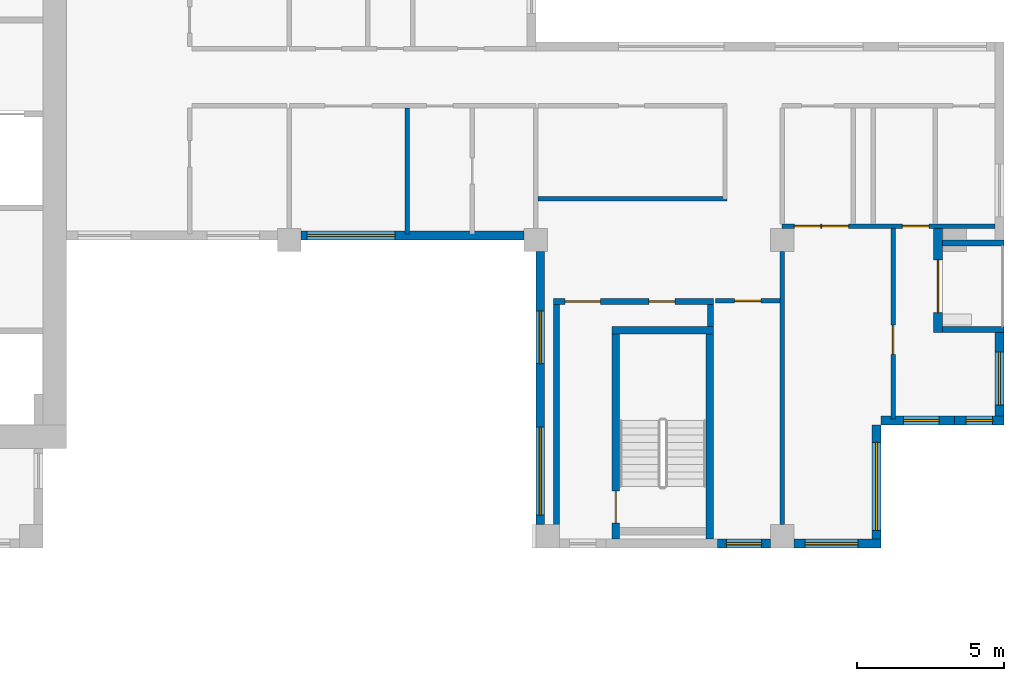
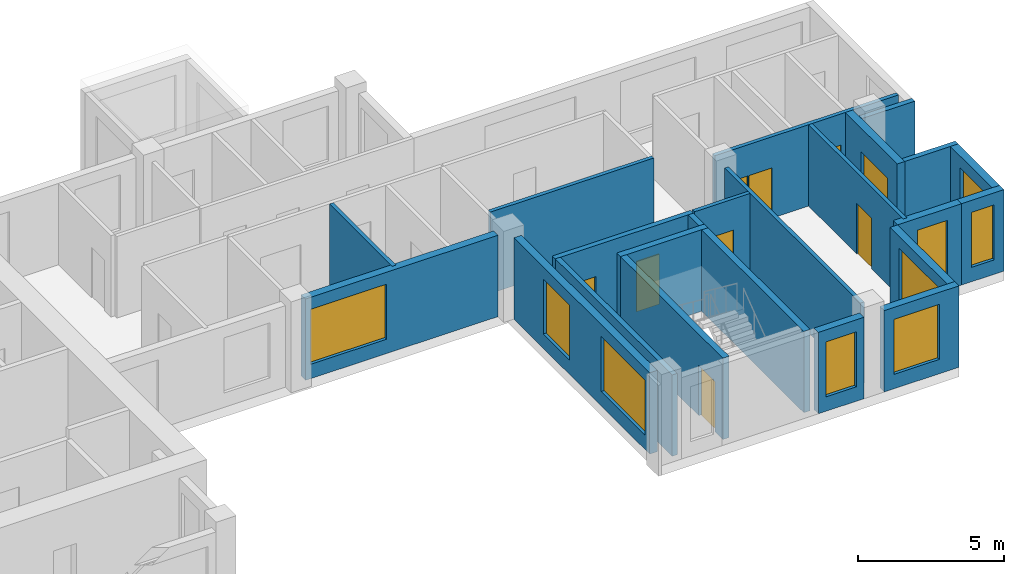
# One storey, part 4 of 11: 23 walls, 9 doors, 9 windows, 18 openings.
"""IFC4 building model written with IfcOpenShell, lengths in metres."""

from ifc_helpers import new_model, si_unit, direction, frame, frame_2d, origin, place, context, subcontext, project, spatial, rectangle, extrude, source, transform, mapped, material, layer, layer_set, type_object, element, fill, save


model = new_model("IFC4")

# Units and contexts
model_context = context("Model", 3, precision=1e-05, world=origin(), true_north=direction((0.0, 1.0)))
body_context = subcontext(model_context, "Body", "Model", "MODEL_VIEW")
ifc_project = project(units=[si_unit("LENGTHUNIT", "METRE"), si_unit("AREAUNIT", "SQUARE_METRE"), si_unit("VOLUMEUNIT", "CUBIC_METRE"), si_unit("PLANEANGLEUNIT", "RADIAN"), si_unit("MASSUNIT", "GRAM", prefix="KILO")], contexts=[model_context])

# Site, building, storey
site_placement = place(None, origin())
site = spatial("IfcSite", under=ifc_project, at=site_placement, CompositionType="ELEMENT")
building_placement = place(site_placement, origin())
building = spatial("IfcBuilding", under=site, at=building_placement, Name="Aurelian Terraces", CompositionType="ELEMENT")
storey_placement = place(building_placement, frame((0.0, 0.0, 257.6)))
storey = spatial("IfcBuildingStorey", under=building, at=storey_placement, Name="L59", CompositionType="ELEMENT", Elevation=257.6)

# Wall, opening, window
ifc_material_1 = material(Name="Terracotta rainscreen cladding", Category="masonry")
ifc_layer_1 = layer(ifc_material_1, 0.3)
ifc_layer_set_1 = layer_set([ifc_layer_1], Name="EW-300")
wall_type_1 = type_object("IfcWallType", Name="EW-300", PredefinedType="STANDARD", material=ifc_layer_set_1)
shared_shape_1 = source(origin(), body_context, "Body", "SweptSolid", [
    extrude(rectangle(XDim=4.2, YDim=0.3, at=frame_2d((2.1, 0.0))), origin(), (0.0, 0.0, 1.0), 3.4),
])
wall_1_placement = place(storey_placement, frame((49.41, 0.0, 0.0), z_axis=(0.0, 0.0, 1.0), x_axis=(0.0, 1.0, 0.0)))
wall_1 = element("IfcWall", 1, at=wall_1_placement, inside=storey, type_object=wall_type_1, Name="External wall L59 F06.10", PredefinedType="STANDARD", context=body_context, shape_type="MappedRepresentation", body=[
    mapped(shared_shape_1, transform((0.0, 0.0, 0.0), scale=1.0)),
])
shared_shape_2 = source(origin(), body_context, "Body", "SweptSolid", [
    extrude(rectangle(XDim=3.0, YDim=2.3, at=frame_2d((1.5, 1.15))), frame((0.0, 0.16, 0.0), z_axis=(0.0, -1.0, 0.0), x_axis=(1.0, 0.0, 0.0)), (0.0, 0.0, 1.0), 0.32),
])
opening_1_placement = place(wall_1_placement, frame((0.6, 0.0, 0.6)))
opening_1 = element("IfcOpeningElement", 2, at=opening_1_placement, cuts=wall_1, Name="Opening W3023", PredefinedType="OPENING", context=body_context, shape_type="MappedRepresentation", body=[
    mapped(shared_shape_2, transform((0.0, 0.0, 0.0), scale=1.0)),
])
ifc_material_2 = material(Name="Clear glazing", Category="glass")
window_type_1 = type_object("IfcWindowType", Name="W-3000x2300", PartitioningType="SINGLE_PANEL", PredefinedType="WINDOW", material=ifc_material_2)
shared_shape_3 = source(origin(), body_context, "Body", "SweptSolid", [
    extrude(rectangle(XDim=3.0, YDim=2.3, at=frame_2d((1.5, 1.15))), frame((0.0, 0.03, 0.0), z_axis=(0.0, -1.0, 0.0), x_axis=(1.0, 0.0, 0.0)), (0.0, 0.0, 1.0), 0.06),
])
window_1_placement = place(opening_1_placement, origin())
window_1 = element("IfcWindow", 3, at=window_1_placement, inside=storey, type_object=window_type_1, Name="Window L59 L59-F06-10-0", OverallHeight=2.3, OverallWidth=3.0, PartitioningType="SINGLE_PANEL", PredefinedType="WINDOW", context=body_context, shape_type="MappedRepresentation", body=[
    mapped(shared_shape_3, transform((0.0, 0.0, 0.0), scale=1.0)),
])
fill(opening_1, window_1)

shared_shape_4 = source(origin(), body_context, "Body", "SweptSolid", [
    extrude(rectangle(XDim=2.52, YDim=0.3, at=frame_2d((1.26, 0.0))), origin(), (0.0, 0.0, 1.0), 3.4),
])
wall_2_placement = place(storey_placement, frame((49.56, 4.35, 0.0), z_axis=(0.0, 0.0, 1.0), x_axis=(1.0, 0.0, 0.0)))
wall_2 = element("IfcWall", 4, at=wall_2_placement, inside=storey, type_object=wall_type_1, Name="External wall L59 F07.11", PredefinedType="STANDARD", context=body_context, shape_type="MappedRepresentation", body=[
    mapped(shared_shape_4, transform((0.0, 0.0, 0.0), scale=1.0)),
])
shared_shape_5 = source(origin(), body_context, "Body", "SweptSolid", [
    extrude(rectangle(XDim=1.2, YDim=2.3, at=frame_2d((0.6, 1.15))), frame((0.0, 0.16, 0.0), z_axis=(0.0, -1.0, 0.0), x_axis=(1.0, 0.0, 0.0)), (0.0, 0.0, 1.0), 0.32),
])
opening_2_placement = place(wall_2_placement, frame((0.7775, 0.0, 0.6)))
opening_2 = element("IfcOpeningElement", 5, at=opening_2_placement, cuts=wall_2, Name="Opening W1223", PredefinedType="OPENING", context=body_context, shape_type="MappedRepresentation", body=[
    mapped(shared_shape_5, transform((0.0, 0.0, 0.0), scale=1.0)),
])
window_type_2 = type_object("IfcWindowType", Name="W-1200x2300", PartitioningType="SINGLE_PANEL", PredefinedType="WINDOW", material=ifc_material_2)
shared_shape_6 = source(origin(), body_context, "Body", "SweptSolid", [
    extrude(rectangle(XDim=1.2, YDim=2.3, at=frame_2d((0.6, 1.15))), frame((0.0, 0.03, 0.0), z_axis=(0.0, -1.0, 0.0), x_axis=(1.0, 0.0, 0.0)), (0.0, 0.0, 1.0), 0.06),
])
window_2_placement = place(opening_2_placement, origin())
window_2 = element("IfcWindow", 6, at=window_2_placement, inside=storey, type_object=window_type_2, Name="Window L59 L59-F07-11-P0", OverallHeight=2.3, OverallWidth=1.2, PartitioningType="SINGLE_PANEL", PredefinedType="WINDOW", context=body_context, shape_type="MappedRepresentation", body=[
    mapped(shared_shape_6, transform((0.0, 0.0, 0.0), scale=1.0)),
])
fill(opening_2, window_2)

shared_shape_7 = source(origin(), body_context, "Body", "SweptSolid", [
    extrude(rectangle(XDim=1.68, YDim=0.3, at=frame_2d((0.84, 0.0))), origin(), (0.0, 0.0, 1.0), 3.4),
])
wall_3_placement = place(storey_placement, frame((52.08, 4.35, 0.0), z_axis=(0.0, 0.0, 1.0), x_axis=(1.0, 0.0, 0.0)))
wall_3 = element("IfcWall", 7, at=wall_3_placement, inside=storey, type_object=wall_type_1, Name="External wall L59 F07.12", PredefinedType="STANDARD", context=body_context, shape_type="MappedRepresentation", body=[
    mapped(shared_shape_7, transform((0.0, 0.0, 0.0), scale=1.0)),
])
shared_shape_8 = source(origin(), body_context, "Body", "SweptSolid", [
    extrude(rectangle(XDim=0.9, YDim=2.3, at=frame_2d((0.45, 1.15))), frame((0.0, 0.16, 0.0), z_axis=(0.0, -1.0, 0.0), x_axis=(1.0, 0.0, 0.0)), (0.0, 0.0, 1.0), 0.32),
])
opening_3_placement = place(wall_3_placement, frame((0.39, 0.0, 0.6)))
opening_3 = element("IfcOpeningElement", 8, at=opening_3_placement, cuts=wall_3, Name="Opening W0923", PredefinedType="OPENING", context=body_context, shape_type="MappedRepresentation", body=[
    mapped(shared_shape_8, transform((0.0, 0.0, 0.0), scale=1.0)),
])
window_type_3 = type_object("IfcWindowType", Name="W-900x2300", PartitioningType="SINGLE_PANEL", PredefinedType="WINDOW", material=ifc_material_2)
shared_shape_9 = source(origin(), body_context, "Body", "SweptSolid", [
    extrude(rectangle(XDim=0.9, YDim=2.3, at=frame_2d((0.45, 1.15))), frame((0.0, 0.03, 0.0), z_axis=(0.0, -1.0, 0.0), x_axis=(1.0, 0.0, 0.0)), (0.0, 0.0, 1.0), 0.06),
])
window_3_placement = place(opening_3_placement, origin())
window_3 = element("IfcWindow", 9, at=window_3_placement, inside=storey, type_object=window_type_3, Name="Window L59 L59-F07-12-P0", OverallHeight=2.3, OverallWidth=0.9, PartitioningType="SINGLE_PANEL", PredefinedType="WINDOW", context=body_context, shape_type="MappedRepresentation", body=[
    mapped(shared_shape_9, transform((0.0, 0.0, 0.0), scale=1.0)),
])
fill(opening_3, window_3)

shared_shape_10 = source(origin(), body_context, "Body", "SweptSolid", [
    extrude(rectangle(XDim=3.15, YDim=0.3, at=frame_2d((1.575, 0.0))), origin(), (0.0, 0.0, 1.0), 3.4),
])
wall_4_placement = place(storey_placement, frame((53.61, 4.2, 0.0), z_axis=(0.0, 0.0, 1.0), x_axis=(0.0, 1.0, 0.0)))
wall_4 = element("IfcWall", 10, at=wall_4_placement, inside=storey, type_object=wall_type_1, Name="External wall L59 F08.13", PredefinedType="STANDARD", context=body_context, shape_type="MappedRepresentation", body=[
    mapped(shared_shape_10, transform((0.0, 0.0, 0.0), scale=1.0)),
])
shared_shape_11 = source(origin(), body_context, "Body", "SweptSolid", [
    extrude(rectangle(XDim=1.8, YDim=2.3, at=frame_2d((0.9, 1.15))), frame((0.0, 0.16, 0.0), z_axis=(0.0, -1.0, 0.0), x_axis=(1.0, 0.0, 0.0)), (0.0, 0.0, 1.0), 0.32),
])
opening_4_placement = place(wall_4_placement, frame((0.675, 0.0, 0.6)))
opening_4 = element("IfcOpeningElement", 11, at=opening_4_placement, cuts=wall_4, Name="Opening W1823", PredefinedType="OPENING", context=body_context, shape_type="MappedRepresentation", body=[
    mapped(shared_shape_11, transform((0.0, 0.0, 0.0), scale=1.0)),
])
window_type_4 = type_object("IfcWindowType", Name="W-1800x2300", PartitioningType="SINGLE_PANEL", PredefinedType="WINDOW", material=ifc_material_2)
shared_shape_12 = source(origin(), body_context, "Body", "SweptSolid", [
    extrude(rectangle(XDim=1.8, YDim=2.3, at=frame_2d((0.9, 1.15))), frame((0.0, 0.03, 0.0), z_axis=(0.0, -1.0, 0.0), x_axis=(1.0, 0.0, 0.0)), (0.0, 0.0, 1.0), 0.06),
])
window_4_placement = place(opening_4_placement, origin())
window_4 = element("IfcWindow", 12, at=window_4_placement, inside=storey, type_object=window_type_4, Name="Window L59 L59-F08-13-0", OverallHeight=2.3, OverallWidth=1.8, PartitioningType="SINGLE_PANEL", PredefinedType="WINDOW", context=body_context, shape_type="MappedRepresentation", body=[
    mapped(shared_shape_12, transform((0.0, 0.0, 0.0), scale=1.0)),
])
fill(opening_4, window_4)

# Walls
ifc_layer_2 = layer(ifc_material_1, 0.2)
ifc_layer_set_2 = layer_set([ifc_layer_2], Name="EW-200")
wall_type_2 = type_object("IfcWallType", Name="EW-200", PredefinedType="STANDARD", material=ifc_layer_set_2)
shared_shape_13 = source(origin(), body_context, "Body", "SweptSolid", [
    extrude(rectangle(XDim=2.1, YDim=0.2, at=frame_2d((1.05, 0.0))), origin(), (0.0, 0.0, 1.0), 3.4),
])
for number, where, z_axis, x_axis, name in (
    (13, (53.76, 7.45, 0.0), (0.0, 0.0, 1.0), (-1.0, 0.0, 0.0), "Loggia return L59 F08.14.1"),
    (14, (53.76, 10.4, 0.0), (0.0, 0.0, 1.0), (-1.0, 0.0, 0.0), "Loggia return L59 F08.14.2"),
):
    element("IfcWall", number, at=place(storey_placement, frame(where, z_axis=z_axis, x_axis=x_axis)), inside=storey, type_object=wall_type_2, Name=name, PredefinedType="STANDARD", context=body_context, shape_type="MappedRepresentation", body=[
        mapped(shared_shape_13, transform((0.0, 0.0, 0.0), scale=1.0)),
    ])

# Wall, opening, window
shared_shape_14 = source(origin(), body_context, "Body", "SweptSolid", [
    extrude(rectangle(XDim=7.6, YDim=0.3, at=frame_2d((3.8, 0.0))), origin(), (0.0, 0.0, 1.0), 3.4),
])
wall_5_placement = place(storey_placement, frame((29.8, 10.65, 0.0), z_axis=(0.0, 0.0, 1.0), x_axis=(1.0, 0.0, 0.0)))
wall_5 = element("IfcWall", 15, at=wall_5_placement, inside=storey, type_object=wall_type_1, Name="External wall L59 F03.6", PredefinedType="STANDARD", context=body_context, shape_type="MappedRepresentation", body=[
    mapped(shared_shape_14, transform((0.0, 0.0, 0.0), scale=1.0)),
])
opening_5_placement = place(wall_5_placement, frame((0.2, 0.0, 0.6)))
opening_5 = element("IfcOpeningElement", 16, at=opening_5_placement, cuts=wall_5, Name="Opening W3023", PredefinedType="OPENING", context=body_context, shape_type="MappedRepresentation", body=[
    mapped(shared_shape_2, transform((0.0, 0.0, 0.0), scale=1.0)),
])
window_5_placement = place(opening_5_placement, origin())
window_5 = element("IfcWindow", 17, at=window_5_placement, inside=storey, type_object=window_type_1, Name="Window L59 L59-F03-06-0", OverallHeight=2.3, OverallWidth=3.0, PartitioningType="SINGLE_PANEL", PredefinedType="WINDOW", context=body_context, shape_type="MappedRepresentation", body=[
    mapped(shared_shape_3, transform((0.0, 0.0, 0.0), scale=1.0)),
])
fill(opening_5, window_5)

shared_shape_15 = source(origin(), body_context, "Body", "SweptSolid", [
    extrude(rectangle(XDim=2.96, YDim=0.3, at=frame_2d((1.48, 0.0))), origin(), (0.0, 0.0, 1.0), 3.4),
])
wall_6_placement = place(storey_placement, frame((46.6, 0.15, 0.0), z_axis=(0.0, 0.0, 1.0), x_axis=(1.0, 0.0, 0.0)))
wall_6 = element("IfcWall", 18, at=wall_6_placement, inside=storey, type_object=wall_type_1, Name="External wall L59 F05.9", PredefinedType="STANDARD", context=body_context, shape_type="MappedRepresentation", body=[
    mapped(shared_shape_15, transform((0.0, 0.0, 0.0), scale=1.0)),
])
opening_6_placement = place(wall_6_placement, frame((0.38, 0.0, 0.6)))
opening_6 = element("IfcOpeningElement", 19, at=opening_6_placement, cuts=wall_6, Name="Opening W1823", PredefinedType="OPENING", context=body_context, shape_type="MappedRepresentation", body=[
    mapped(shared_shape_11, transform((0.0, 0.0, 0.0), scale=1.0)),
])
window_6_placement = place(opening_6_placement, origin())
window_6 = element("IfcWindow", 20, at=window_6_placement, inside=storey, type_object=window_type_4, Name="Window L59 L59-F05-09-0", OverallHeight=2.3, OverallWidth=1.8, PartitioningType="SINGLE_PANEL", PredefinedType="WINDOW", context=body_context, shape_type="MappedRepresentation", body=[
    mapped(shared_shape_12, transform((0.0, 0.0, 0.0), scale=1.0)),
])
fill(opening_6, window_6)

shared_shape_16 = source(origin(), body_context, "Body", "SweptSolid", [
    extrude(rectangle(XDim=1.8, YDim=0.3, at=frame_2d((0.9, 0.0))), origin(), (0.0, 0.0, 1.0), 3.4),
])
wall_7_placement = place(storey_placement, frame((44.0, 0.15, 0.0), z_axis=(0.0, 0.0, 1.0), x_axis=(1.0, 0.0, 0.0)))
wall_7 = element("IfcWall", 21, at=wall_7_placement, inside=storey, type_object=wall_type_1, Name="External wall L59 F05.8", PredefinedType="STANDARD", context=body_context, shape_type="MappedRepresentation", body=[
    mapped(shared_shape_16, transform((0.0, 0.0, 0.0), scale=1.0)),
])
opening_7_placement = place(wall_7_placement, frame((0.3, 0.0, 0.6)))
opening_7 = element("IfcOpeningElement", 22, at=opening_7_placement, cuts=wall_7, Name="Opening W1223", PredefinedType="OPENING", context=body_context, shape_type="MappedRepresentation", body=[
    mapped(shared_shape_5, transform((0.0, 0.0, 0.0), scale=1.0)),
])
window_7_placement = place(opening_7_placement, origin())
window_7 = element("IfcWindow", 23, at=window_7_placement, inside=storey, type_object=window_type_2, Name="Window L59 L59-F05-08-P2", OverallHeight=2.3, OverallWidth=1.2, PartitioningType="SINGLE_PANEL", PredefinedType="WINDOW", context=body_context, shape_type="MappedRepresentation", body=[
    mapped(shared_shape_6, transform((0.0, 0.0, 0.0), scale=1.0)),
])
fill(opening_7, window_7)

# Wall, openings, windows
shared_shape_17 = source(origin(), body_context, "Body", "SweptSolid", [
    extrude(rectangle(XDim=9.3, YDim=0.3, at=frame_2d((4.65, 0.0))), origin(), (0.0, 0.0, 1.0), 3.4),
])
wall_8_placement = place(storey_placement, frame((37.95, 10.1, 0.0), z_axis=(0.0, 0.0, 1.0), x_axis=(0.0, -1.0, 0.0)))
wall_8 = element("IfcWall", 24, at=wall_8_placement, inside=storey, type_object=wall_type_1, Name="External wall L59 F04.7", PredefinedType="STANDARD", context=body_context, shape_type="MappedRepresentation", body=[
    mapped(shared_shape_17, transform((0.0, 0.0, 0.0), scale=1.0)),
])
opening_8_placement = place(wall_8_placement, frame((2.0125, 0.0, 0.6)))
opening_8 = element("IfcOpeningElement", 25, at=opening_8_placement, cuts=wall_8, Name="Opening W1823", PredefinedType="OPENING", context=body_context, shape_type="MappedRepresentation", body=[
    mapped(shared_shape_11, transform((0.0, 0.0, 0.0), scale=1.0)),
])
opening_9_placement = place(wall_8_placement, frame((5.975, 0.0, 0.6)))
opening_9 = element("IfcOpeningElement", 26, at=opening_9_placement, cuts=wall_8, Name="Opening W3023", PredefinedType="OPENING", context=body_context, shape_type="MappedRepresentation", body=[
    mapped(shared_shape_2, transform((0.0, 0.0, 0.0), scale=1.0)),
])
window_8_placement = place(opening_9_placement, origin())
window_8 = element("IfcWindow", 27, at=window_8_placement, inside=storey, type_object=window_type_1, Name="Window L59 L59-F04-07-1", OverallHeight=2.3, OverallWidth=3.0, PartitioningType="SINGLE_PANEL", PredefinedType="WINDOW", context=body_context, shape_type="MappedRepresentation", body=[
    mapped(shared_shape_3, transform((0.0, 0.0, 0.0), scale=1.0)),
])
fill(opening_9, window_8)
window_9_placement = place(opening_8_placement, origin())
window_9 = element("IfcWindow", 28, at=window_9_placement, inside=storey, type_object=window_type_4, Name="Window L59 L59-F04-07-0", OverallHeight=2.3, OverallWidth=1.8, PartitioningType="SINGLE_PANEL", PredefinedType="WINDOW", context=body_context, shape_type="MappedRepresentation", body=[
    mapped(shared_shape_12, transform((0.0, 0.0, 0.0), scale=1.0)),
])
fill(opening_8, window_9)

# Wall, opening, door
shared_shape_18 = source(origin(), body_context, "Body", "SweptSolid", [
    extrude(rectangle(XDim=3.55, YDim=0.3, at=frame_2d((1.775, 0.0))), origin(), (0.0, 0.0, 1.0), 3.4),
])
wall_9_placement = place(storey_placement, frame((51.51, 7.35, 0.0), z_axis=(0.0, 0.0, 1.0), x_axis=(0.0, 1.0, 0.0)))
wall_9 = element("IfcWall", 29, at=wall_9_placement, inside=storey, type_object=wall_type_1, Name="Loggia wall L59 F08.14", PredefinedType="STANDARD", context=body_context, shape_type="MappedRepresentation", body=[
    mapped(shared_shape_18, transform((0.0, 0.0, 0.0), scale=1.0)),
])
shared_shape_19 = source(origin(), body_context, "Body", "SweptSolid", [
    extrude(rectangle(XDim=1.8, YDim=2.4, at=frame_2d((0.9, 1.2))), frame((0.0, 0.16, 0.0), z_axis=(0.0, -1.0, 0.0), x_axis=(1.0, 0.0, 0.0)), (0.0, 0.0, 1.0), 0.32),
])
opening_10_placement = place(wall_9_placement, frame((0.675, 0.0, 0.0)))
opening_10 = element("IfcOpeningElement", 30, at=opening_10_placement, cuts=wall_9, Name="Opening 85901", PredefinedType="OPENING", context=body_context, shape_type="MappedRepresentation", body=[
    mapped(shared_shape_19, transform((0.0, 0.0, 0.0), scale=1.0)),
])
door_type_1 = type_object("IfcDoorType", Name="BD-1800x2400", OperationType="SLIDING_TO_LEFT", PredefinedType="DOOR", material=ifc_material_2)
shared_shape_20 = source(origin(), body_context, "Body", "SweptSolid", [
    extrude(rectangle(XDim=1.8, YDim=2.4, at=frame_2d((0.9, 1.2))), frame((0.0, 0.025, 0.0), z_axis=(0.0, -1.0, 0.0), x_axis=(1.0, 0.0, 0.0)), (0.0, 0.0, 1.0), 0.05),
])
door_1_placement = place(opening_10_placement, origin())
door_1 = element("IfcDoor", 31, at=door_1_placement, inside=storey, type_object=door_type_1, Name="Balcony door L59 F08.14", OperationType="SLIDING_TO_LEFT", OverallHeight=2.4, OverallWidth=1.8, PredefinedType="DOOR", context=body_context, shape_type="MappedRepresentation", body=[
    mapped(shared_shape_20, transform((0.0, 0.0, 0.0), scale=1.0)),
])
fill(opening_10, door_1)

ifc_material_3 = material(Name="Concrete fc' 40 MPa", Category="concrete")
ifc_layer_3 = layer(ifc_material_3, 0.25)
ifc_layer_set_3 = layer_set([ifc_layer_3], Name="Stair enclosure wall 250")
wall_type_3 = type_object("IfcWallType", Name="Stair enclosure wall 250", PredefinedType="SOLIDWALL", material=ifc_layer_set_3)
shared_shape_21 = source(origin(), body_context, "Body", "SweptSolid", [
    extrude(rectangle(XDim=7.0, YDim=0.25, at=frame_2d((3.5, 0.0))), origin(), (0.0, 0.0, 1.0), 3.4),
])
wall_10_placement = place(storey_placement, frame((40.525, 0.3, 0.0), z_axis=(0.0, 0.0, 1.0), x_axis=(0.0, 1.0, 0.0)))
wall_10 = element("IfcWall", 32, at=wall_10_placement, inside=storey, type_object=wall_type_3, Name="L59 core wall ST-S2-W", PredefinedType="SOLIDWALL", context=body_context, shape_type="MappedRepresentation", body=[
    mapped(shared_shape_21, transform((0.0, 0.0, 0.0), scale=1.0)),
])
shared_shape_22 = source(origin(), body_context, "Body", "SweptSolid", [
    extrude(rectangle(XDim=1.1, YDim=2.1, at=frame_2d((0.55, 1.05))), frame((0.0, 0.135, 0.0), z_axis=(0.0, -1.0, 0.0), x_axis=(1.0, 0.0, 0.0)), (0.0, 0.0, 1.0), 0.27),
])
opening_11_placement = place(wall_10_placement, frame((0.55, 0.0, 0.0)))
opening_11 = element("IfcOpeningElement", 33, at=opening_11_placement, cuts=wall_10, Name="Opening 66215", PredefinedType="OPENING", context=body_context, shape_type="MappedRepresentation", body=[
    mapped(shared_shape_22, transform((0.0, 0.0, 0.0), scale=1.0)),
])
ifc_material_4 = material(Name="Steel door leaf", Category="steel")
door_type_2 = type_object("IfcDoorType", Name="Core fire door 1100x2100 right", OperationType="SINGLE_SWING_RIGHT", PredefinedType="DOOR", material=ifc_material_4)
shared_shape_23 = source(origin(), body_context, "Body", "SweptSolid", [
    extrude(rectangle(XDim=1.1, YDim=2.1, at=frame_2d((0.55, 1.05))), frame((0.0, 0.025, 0.0), z_axis=(0.0, -1.0, 0.0), x_axis=(1.0, 0.0, 0.0)), (0.0, 0.0, 1.0), 0.05),
])
door_2_placement = place(opening_11_placement, origin())
door_2 = element("IfcDoor", 34, at=door_2_placement, inside=storey, type_object=door_type_2, Name="Stair door 66215", OperationType="SINGLE_SWING_RIGHT", OverallHeight=2.1, OverallWidth=1.1, PredefinedType="DOOR", context=body_context, shape_type="MappedRepresentation", body=[
    mapped(shared_shape_23, transform((0.0, 0.0, 0.0), scale=1.0)),
])
fill(opening_11, door_2)

# Walls
wall_11_placement = place(storey_placement, frame((43.725, 0.3, 0.0), z_axis=(0.0, 0.0, 1.0), x_axis=(0.0, 1.0, 0.0)))
element("IfcWall", 35, at=wall_11_placement, inside=storey, type_object=wall_type_3, Name="L59 core wall ST-S2-E", PredefinedType="SOLIDWALL", context=body_context, shape_type="MappedRepresentation", body=[
    mapped(shared_shape_21, transform((0.0, 0.0, 0.0), scale=1.0)),
])
shared_shape_24 = source(origin(), body_context, "Body", "SweptSolid", [
    extrude(rectangle(XDim=3.45, YDim=0.25, at=frame_2d((1.725, 0.0))), origin(), (0.0, 0.0, 1.0), 3.4),
])
wall_12_placement = place(storey_placement, frame((40.4, 7.425, 0.0), z_axis=(0.0, 0.0, 1.0), x_axis=(1.0, 0.0, 0.0)))
element("IfcWall", 36, at=wall_12_placement, inside=storey, type_object=wall_type_3, Name="L59 core wall ST-S2-N", PredefinedType="SOLIDWALL", context=body_context, shape_type="MappedRepresentation", body=[
    mapped(shared_shape_24, transform((0.0, 0.0, 0.0), scale=1.0)),
])

# Wall, openings, doors
ifc_material_5 = material(Name="Gypsum board on steel studs", Category="steel")
ifc_layer_4 = layer(ifc_material_5, 0.2)
ifc_layer_set_4 = layer_set([ifc_layer_4], Name="Core partition 200")
wall_type_4 = type_object("IfcWallType", Name="Core partition 200", PredefinedType="PARTITIONING", material=ifc_layer_set_4)
shared_shape_25 = source(origin(), body_context, "Body", "SweptSolid", [
    extrude(rectangle(XDim=5.45, YDim=0.2, at=frame_2d((2.725, 0.0))), origin(), (0.0, 0.0, 1.0), 3.4),
])
wall_13_placement = place(storey_placement, frame((38.4, 8.4, 0.0), z_axis=(0.0, 0.0, 1.0), x_axis=(1.0, 0.0, 0.0)))
wall_13 = element("IfcWall", 37, at=wall_13_placement, inside=storey, type_object=wall_type_4, Name="L59 core wall ST-S2-BN", PredefinedType="PARTITIONING", context=body_context, shape_type="MappedRepresentation", body=[
    mapped(shared_shape_25, transform((0.0, 0.0, 0.0), scale=1.0)),
])
shared_shape_26 = source(origin(), body_context, "Body", "SweptSolid", [
    extrude(rectangle(XDim=1.2, YDim=2.1, at=frame_2d((0.6, 1.05))), frame((0.0, 0.11, 0.0), z_axis=(0.0, -1.0, 0.0), x_axis=(1.0, 0.0, 0.0)), (0.0, 0.0, 1.0), 0.22),
])
opening_12_placement = place(wall_13_placement, frame((0.4, 0.0, 0.0)))
opening_12 = element("IfcOpeningElement", 38, at=opening_12_placement, cuts=wall_13, Name="Opening 66216", PredefinedType="OPENING", context=body_context, shape_type="MappedRepresentation", body=[
    mapped(shared_shape_26, transform((0.0, 0.0, 0.0), scale=1.0)),
])
shared_shape_27 = source(origin(), body_context, "Body", "SweptSolid", [
    extrude(rectangle(XDim=0.9, YDim=2.1, at=frame_2d((0.45, 1.05))), frame((0.0, 0.11, 0.0), z_axis=(0.0, -1.0, 0.0), x_axis=(1.0, 0.0, 0.0)), (0.0, 0.0, 1.0), 0.22),
])
opening_13_placement = place(wall_13_placement, frame((3.25, 0.0, 0.0)))
opening_13 = element("IfcOpeningElement", 39, at=opening_13_placement, cuts=wall_13, Name="Opening 66217", PredefinedType="OPENING", context=body_context, shape_type="MappedRepresentation", body=[
    mapped(shared_shape_27, transform((0.0, 0.0, 0.0), scale=1.0)),
])
door_type_3 = type_object("IfcDoorType", Name="Core riser door 900x2100 right", OperationType="SINGLE_SWING_RIGHT", PredefinedType="DOOR", material=ifc_material_4)
shared_shape_28 = source(origin(), body_context, "Body", "SweptSolid", [
    extrude(rectangle(XDim=0.9, YDim=2.1, at=frame_2d((0.45, 1.05))), frame((0.0, 0.025, 0.0), z_axis=(0.0, -1.0, 0.0), x_axis=(1.0, 0.0, 0.0)), (0.0, 0.0, 1.0), 0.05),
])
door_3_placement = place(opening_13_placement, origin())
door_3 = element("IfcDoor", 40, at=door_3_placement, inside=storey, type_object=door_type_3, Name="Riser door 66217", OperationType="SINGLE_SWING_RIGHT", OverallHeight=2.1, OverallWidth=0.9, PredefinedType="DOOR", context=body_context, shape_type="MappedRepresentation", body=[
    mapped(shared_shape_28, transform((0.0, 0.0, 0.0), scale=1.0)),
])
fill(opening_13, door_3)
door_type_4 = type_object("IfcDoorType", Name="Core fire door 1200x2100", OperationType="SINGLE_SWING_LEFT", PredefinedType="DOOR", material=ifc_material_4)
shared_shape_29 = source(origin(), body_context, "Body", "SweptSolid", [
    extrude(rectangle(XDim=1.2, YDim=2.1, at=frame_2d((0.6, 1.05))), frame((0.0, 0.025, 0.0), z_axis=(0.0, -1.0, 0.0), x_axis=(1.0, 0.0, 0.0)), (0.0, 0.0, 1.0), 0.05),
])
door_4_placement = place(opening_12_placement, origin())
door_4 = element("IfcDoor", 41, at=door_4_placement, inside=storey, type_object=door_type_4, Name="Vestibule door 66216", OperationType="SINGLE_SWING_LEFT", OverallHeight=2.1, OverallWidth=1.2, PredefinedType="DOOR", context=body_context, shape_type="MappedRepresentation", body=[
    mapped(shared_shape_29, transform((0.0, 0.0, 0.0), scale=1.0)),
])
fill(opening_12, door_4)

# Walls
shared_shape_30 = source(origin(), body_context, "Body", "SweptSolid", [
    extrude(rectangle(XDim=0.75, YDim=0.2, at=frame_2d((0.375, 0.0))), origin(), (0.0, 0.0, 1.0), 3.4),
])
wall_14_placement = place(storey_placement, frame((43.75, 7.55, 0.0), z_axis=(0.0, 0.0, 1.0), x_axis=(0.0, 1.0, 0.0)))
element("IfcWall", 42, at=wall_14_placement, inside=storey, type_object=wall_type_4, Name="L59 core wall ST-S2-RE", PredefinedType="PARTITIONING", context=body_context, shape_type="MappedRepresentation", body=[
    mapped(shared_shape_30, transform((0.0, 0.0, 0.0), scale=1.0)),
])
shared_shape_31 = source(origin(), body_context, "Body", "SweptSolid", [
    extrude(rectangle(XDim=8.0, YDim=0.2, at=frame_2d((4.0, 0.0))), origin(), (0.0, 0.0, 1.0), 3.4),
])
wall_15_placement = place(storey_placement, frame((38.5, 0.3, 0.0), z_axis=(0.0, 0.0, 1.0), x_axis=(0.0, 1.0, 0.0)))
element("IfcWall", 43, at=wall_15_placement, inside=storey, type_object=wall_type_4, Name="L59 core wall ST-S2-VW", PredefinedType="PARTITIONING", context=body_context, shape_type="MappedRepresentation", body=[
    mapped(shared_shape_31, transform((0.0, 0.0, 0.0), scale=1.0)),
])
ifc_layer_5 = layer(ifc_material_5, 0.15)
ifc_layer_set_5 = layer_set([ifc_layer_5], Name="Partition 150")
wall_type_5 = type_object("IfcWallType", Name="Partition 150", PredefinedType="PARTITIONING", material=ifc_layer_set_5)
shared_shape_32 = source(origin(), body_context, "Body", "SweptSolid", [
    extrude(rectangle(XDim=6.45, YDim=0.15, at=frame_2d((3.225, 0.0))), origin(), (0.0, 0.0, 1.0), 3.4),
])
wall_16_placement = place(storey_placement, frame((37.875, 11.9, 0.0), z_axis=(0.0, 0.0, 1.0), x_axis=(1.0, 0.0, 0.0)))
element("IfcWall", 44, at=wall_16_placement, inside=storey, type_object=wall_type_5, Name="Partition", PredefinedType="PARTITIONING", context=body_context, shape_type="MappedRepresentation", body=[
    mapped(shared_shape_32, transform((0.0, 0.0, 0.0), scale=1.0)),
])

# Wall, opening, door
shared_shape_33 = source(origin(), body_context, "Body", "SweptSolid", [
    extrude(rectangle(XDim=2.2, YDim=0.15, at=frame_2d((1.1, 0.0))), origin(), (0.0, 0.0, 1.0), 3.4),
])
wall_17_placement = place(storey_placement, frame((46.125, 8.425, 0.0), z_axis=(0.0, 0.0, 1.0), x_axis=(-1.0, 0.0, 0.0)))
wall_17 = element("IfcWall", 45, at=wall_17_placement, inside=storey, type_object=wall_type_5, Name="Partition", PredefinedType="PARTITIONING", context=body_context, shape_type="MappedRepresentation", body=[
    mapped(shared_shape_33, transform((0.0, 0.0, 0.0), scale=1.0)),
])
shared_shape_34 = source(origin(), body_context, "Body", "SweptSolid", [
    extrude(rectangle(XDim=0.9, YDim=2.1, at=frame_2d((0.45, 1.05))), frame((0.0, 0.085, 0.0), z_axis=(0.0, -1.0, 0.0), x_axis=(1.0, 0.0, 0.0)), (0.0, 0.0, 1.0), 0.17),
])
opening_14_placement = place(wall_17_placement, frame((0.65, 0.0, 0.0)))
opening_14 = element("IfcOpeningElement", 46, at=opening_14_placement, cuts=wall_17, Name="Opening 759004", PredefinedType="OPENING", context=body_context, shape_type="MappedRepresentation", body=[
    mapped(shared_shape_34, transform((0.0, 0.0, 0.0), scale=1.0)),
])
ifc_material_6 = material(Name="Timber door leaf", Category="wood")
door_type_5 = type_object("IfcDoorType", Name="Room door 900x2100 left", OperationType="SINGLE_SWING_LEFT", PredefinedType="DOOR", material=ifc_material_6)
door_5_placement = place(opening_14_placement, origin())
door_5 = element("IfcDoor", 47, at=door_5_placement, inside=storey, type_object=door_type_5, Name="Door 759004", OperationType="SINGLE_SWING_LEFT", OverallHeight=2.1, OverallWidth=0.9, PredefinedType="DOOR", context=body_context, shape_type="MappedRepresentation", body=[
    mapped(shared_shape_28, transform((0.0, 0.0, 0.0), scale=1.0)),
])
fill(opening_14, door_5)

# Wall, openings, doors
shared_shape_35 = source(origin(), body_context, "Body", "SweptSolid", [
    extrude(rectangle(XDim=7.26, YDim=0.15, at=frame_2d((3.63, 0.0))), origin(), (0.0, 0.0, 1.0), 3.4),
])
wall_18_placement = place(storey_placement, frame((53.46, 10.975, 0.0), z_axis=(0.0, 0.0, 1.0), x_axis=(-1.0, 0.0, 0.0)))
wall_18 = element("IfcWall", 48, at=wall_18_placement, inside=storey, type_object=wall_type_5, Name="Partition", PredefinedType="PARTITIONING", context=body_context, shape_type="MappedRepresentation", body=[
    mapped(shared_shape_35, transform((0.0, 0.0, 0.0), scale=1.0)),
])
opening_15_placement = place(wall_18_placement, frame((4.999, 0.0, 0.0)))
opening_15 = element("IfcOpeningElement", 49, at=opening_15_placement, cuts=wall_18, Name="Opening 759008", PredefinedType="OPENING", context=body_context, shape_type="MappedRepresentation", body=[
    mapped(shared_shape_34, transform((0.0, 0.0, 0.0), scale=1.0)),
])
opening_16_placement = place(wall_18_placement, frame((5.95, 0.0, 0.0)))
opening_16 = element("IfcOpeningElement", 50, at=opening_16_placement, cuts=wall_18, Name="Opening 759009", PredefinedType="OPENING", context=body_context, shape_type="MappedRepresentation", body=[
    mapped(shared_shape_34, transform((0.0, 0.0, 0.0), scale=1.0)),
])
opening_17_placement = place(wall_18_placement, frame((2.2639, 0.0, 0.0)))
opening_17 = element("IfcOpeningElement", 51, at=opening_17_placement, cuts=wall_18, Name="Opening 759010", PredefinedType="OPENING", context=body_context, shape_type="MappedRepresentation", body=[
    mapped(shared_shape_34, transform((0.0, 0.0, 0.0), scale=1.0)),
])
door_6_placement = place(opening_15_placement, origin())
door_6 = element("IfcDoor", 52, at=door_6_placement, inside=storey, type_object=door_type_5, Name="Door 759008", OperationType="SINGLE_SWING_LEFT", OverallHeight=2.1, OverallWidth=0.9, PredefinedType="DOOR", context=body_context, shape_type="MappedRepresentation", body=[
    mapped(shared_shape_28, transform((0.0, 0.0, 0.0), scale=1.0)),
])
fill(opening_15, door_6)
door_type_6 = type_object("IfcDoorType", Name="Room door 900x2100 right", OperationType="SINGLE_SWING_RIGHT", PredefinedType="DOOR", material=ifc_material_6)
door_7_placement = place(opening_16_placement, origin())
door_7 = element("IfcDoor", 53, at=door_7_placement, inside=storey, type_object=door_type_6, Name="Door 759009", OperationType="SINGLE_SWING_RIGHT", OverallHeight=2.1, OverallWidth=0.9, PredefinedType="DOOR", context=body_context, shape_type="MappedRepresentation", body=[
    mapped(shared_shape_28, transform((0.0, 0.0, 0.0), scale=1.0)),
])
fill(opening_16, door_7)
door_8_placement = place(opening_17_placement, origin())
door_8 = element("IfcDoor", 54, at=door_8_placement, inside=storey, type_object=door_type_5, Name="Door 759010", OperationType="SINGLE_SWING_LEFT", OverallHeight=2.1, OverallWidth=0.9, PredefinedType="DOOR", context=body_context, shape_type="MappedRepresentation", body=[
    mapped(shared_shape_28, transform((0.0, 0.0, 0.0), scale=1.0)),
])
fill(opening_17, door_8)

# Walls
shared_shape_36 = source(origin(), body_context, "Body", "SweptSolid", [
    extrude(rectangle(XDim=4.295, YDim=0.15, at=frame_2d((2.1475, 0.0))), origin(), (0.0, 0.0, 1.0), 3.4),
])
wall_19_placement = place(storey_placement, frame((33.4224, 10.705, 0.0), z_axis=(0.0, 0.0, 1.0), x_axis=(0.0, 1.0, 0.0)))
element("IfcWall", 55, at=wall_19_placement, inside=storey, type_object=wall_type_5, Name="Partition", PredefinedType="PARTITIONING", context=body_context, shape_type="MappedRepresentation", body=[
    mapped(shared_shape_36, transform((0.0, 0.0, 0.0), scale=1.0)),
])
ifc_layer_6 = layer(ifc_material_5, 0.15)
ifc_layer_set_6 = layer_set([ifc_layer_6], Name="Fire partition 150")
wall_type_6 = type_object("IfcWallType", Name="Fire partition 150", PredefinedType="PARTITIONING", material=ifc_layer_set_6)
shared_shape_37 = source(origin(), body_context, "Body", "SweptSolid", [
    extrude(rectangle(XDim=9.302, YDim=0.15, at=frame_2d((4.651, 0.0))), origin(), (0.0, 0.0, 1.0), 3.4),
])
wall_20_placement = place(storey_placement, frame((46.2, 0.799, 0.0), z_axis=(0.0, 0.0, 1.0), x_axis=(0.0, 1.0, 0.0)))
element("IfcWall", 56, at=wall_20_placement, inside=storey, type_object=wall_type_6, Name="Party wall", PredefinedType="PARTITIONING", context=body_context, shape_type="MappedRepresentation", body=[
    mapped(shared_shape_37, transform((0.0, 0.0, 0.0), scale=1.0)),
])

# Wall, opening, door
shared_shape_38 = source(origin(), body_context, "Body", "SweptSolid", [
    extrude(rectangle(XDim=6.495, YDim=0.15, at=frame_2d((3.2475, 0.0))), origin(), (0.0, 0.0, 1.0), 3.4),
])
wall_21_placement = place(storey_placement, frame((49.98, 4.405, 0.0), z_axis=(0.0, 0.0, 1.0), x_axis=(0.0, 1.0, 0.0)))
wall_21 = element("IfcWall", 57, at=wall_21_placement, inside=storey, type_object=wall_type_5, Name="Partition", PredefinedType="PARTITIONING", context=body_context, shape_type="MappedRepresentation", body=[
    mapped(shared_shape_38, transform((0.0, 0.0, 0.0), scale=1.0)),
])
shared_shape_39 = source(origin(), body_context, "Body", "SweptSolid", [
    extrude(rectangle(XDim=1.0, YDim=2.1, at=frame_2d((0.5, 1.05))), frame((0.0, 0.085, 0.0), z_axis=(0.0, -1.0, 0.0), x_axis=(1.0, 0.0, 0.0)), (0.0, 0.0, 1.0), 0.17),
])
opening_18_placement = place(wall_21_placement, frame((2.195, 0.0, 0.0)))
opening_18 = element("IfcOpeningElement", 58, at=opening_18_placement, cuts=wall_21, Name="Opening 759012", PredefinedType="OPENING", context=body_context, shape_type="MappedRepresentation", body=[
    mapped(shared_shape_39, transform((0.0, 0.0, 0.0), scale=1.0)),
])
door_type_7 = type_object("IfcDoorType", Name="Room door 1000x2100 left", OperationType="SINGLE_SWING_LEFT", PredefinedType="DOOR", material=ifc_material_6)
shared_shape_40 = source(origin(), body_context, "Body", "SweptSolid", [
    extrude(rectangle(XDim=1.0, YDim=2.1, at=frame_2d((0.5, 1.05))), frame((0.0, 0.025, 0.0), z_axis=(0.0, -1.0, 0.0), x_axis=(1.0, 0.0, 0.0)), (0.0, 0.0, 1.0), 0.05),
])
door_9_placement = place(opening_18_placement, origin())
door_9 = element("IfcDoor", 59, at=door_9_placement, inside=storey, type_object=door_type_7, Name="Door 759012", OperationType="SINGLE_SWING_LEFT", OverallHeight=2.1, OverallWidth=1.0, PredefinedType="DOOR", context=body_context, shape_type="MappedRepresentation", body=[
    mapped(shared_shape_40, transform((0.0, 0.0, 0.0), scale=1.0)),
])
fill(opening_18, door_9)

save(model, "model.ifc")
